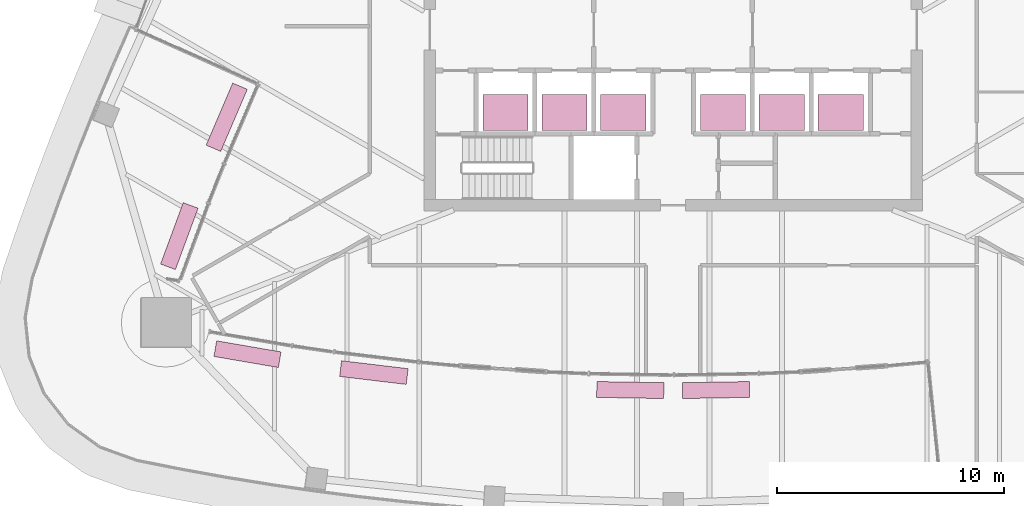
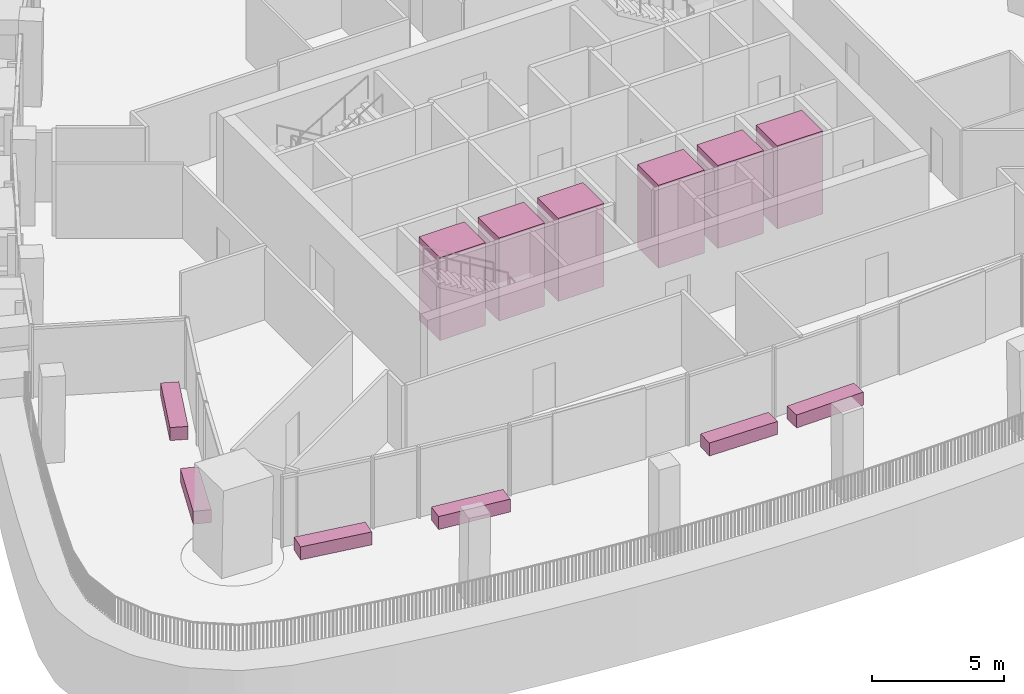
# One storey, part 22 of 22: 6 furniture elements, 6 transport elements.
"""IFC4 building model written with IfcOpenShell, lengths in metres."""

from ifc_helpers import new_model, si_unit, direction, frame, origin, origin_2d, place, context, subcontext, project, spatial, rectangle, extrude, material, type_object, element, save


model = new_model("IFC4")

# Units and contexts
model_context = context("Model", 3, precision=1e-05, world=origin(), true_north=direction((0.0, 1.0)))
body_context = subcontext(model_context, "Body", "Model", "MODEL_VIEW")
ifc_project = project(units=[si_unit("LENGTHUNIT", "METRE"), si_unit("AREAUNIT", "SQUARE_METRE"), si_unit("VOLUMEUNIT", "CUBIC_METRE"), si_unit("PLANEANGLEUNIT", "RADIAN"), si_unit("MASSUNIT", "GRAM", prefix="KILO")], contexts=[model_context])

# Site, building, storey
site_placement = place(None, origin())
site = spatial("IfcSite", under=ifc_project, at=site_placement, CompositionType="ELEMENT")
building_placement = place(site_placement, origin())
building = spatial("IfcBuilding", under=site, at=building_placement, Name="Sierra Prisma Convention Tower", CompositionType="ELEMENT")
storey_placement = place(building_placement, frame((0.0, 0.0, 227.0)))
storey = spatial("IfcBuildingStorey", under=building, at=storey_placement, Name="L50", CompositionType="ELEMENT", Elevation=227.0)

# Transport elements
ifc_material_1 = material(Name="Stainless steel", Category="steel")
transport_element_type = type_object("IfcTransportElementType", Name="Lift car office high 2000x1600 1600 kg", PredefinedType="ELEVATOR", material=ifc_material_1)
for number, where, z_axis, x_axis, name in (
    (1, (-7.39990234375, -3.64990234375, 0.0), (0.0, 0.0, 1.0), (1.0, 0.0, 0.0), "Lift OH1"),
    (2, (-4.800048828125, -3.64990234375, 0.0), (0.0, 0.0, 1.0), (1.0, 0.0, 0.0), "Lift OH2"),
    (3, (-2.199951171875, -3.64990234375, 0.0), (0.0, 0.0, 1.0), (1.0, 0.0, 0.0), "Lift OH3"),
    (4, (2.199951171875, -3.64990234375, 0.0), (0.0, 0.0, 1.0), (1.0, 0.0, 0.0), "Lift OH4"),
    (5, (4.800048828125, -3.64990234375, 0.0), (0.0, 0.0, 1.0), (1.0, 0.0, 0.0), "Lift OH5"),
    (6, (7.39990234375, -3.64990234375, 0.0), (0.0, 0.0, 1.0), (1.0, 0.0, 0.0), "Lift OH6"),
):
    element("IfcTransportElement", number, at=place(storey_placement, frame(where, z_axis=z_axis, x_axis=x_axis)), inside=storey, type_object=transport_element_type, Name=name, PredefinedType="ELEVATOR", context=body_context, shape_type="SweptSolid", body=[
        extrude(rectangle(XDim=2.0, YDim=1.60009765625, at=origin_2d()), origin(), (0.0, 0.0, 1.0), 3.85009765625),
    ])

# Furniture
ifc_material_2 = material(Name="Precast concrete C40/50", Category="concrete")
furniture_type = type_object("IfcFurnitureType", Name="Terrace planter", AssemblyPlace="NOTDEFINED", PredefinedType="USERDEFINED", material=ifc_material_2)
furniture_1_placement = place(storey_placement, frame((-19.707763671875, -3.8642578125, 0.0400390625), z_axis=(0.0, 0.0, 1.0), x_axis=(-0.393633597179, -0.919267420924, 0.0)))
element("IfcFurniture", 7, at=furniture_1_placement, inside=storey, type_object=furniture_type, Name="Planter L50.1", ObjectType="PLANTER", PredefinedType="USERDEFINED", context=body_context, shape_type="SweptSolid", body=[
    extrude(rectangle(XDim=2.982177734375, YDim=0.699951171875, at=origin_2d()), origin(), (0.0, 0.0, 1.0), 0.60009765625),
])
furniture_2_placement = place(storey_placement, frame((-21.799072265625, -9.112060546875, 0.0400390625), z_axis=(0.0, 0.0, 1.0), x_axis=(-0.346211643008, -0.938156435914, 0.0)))
element("IfcFurniture", 8, at=furniture_2_placement, inside=storey, type_object=furniture_type, Name="Planter L50.3", ObjectType="PLANTER", PredefinedType="USERDEFINED", context=body_context, shape_type="SweptSolid", body=[
    extrude(rectangle(XDim=2.88671875, YDim=0.699951171875, at=origin_2d()), origin(), (0.0, 0.0, 1.0), 0.60009765625),
])
furniture_3_placement = place(storey_placement, frame((-18.789794921875, -14.32275390625, 0.0400390625), z_axis=(0.0, 0.0, 1.0), x_axis=(0.985573844924, -0.169245963622, 0.0)))
element("IfcFurniture", 9, at=furniture_3_placement, inside=storey, type_object=furniture_type, Name="Planter L50.28", ObjectType="PLANTER", PredefinedType="USERDEFINED", context=body_context, shape_type="SweptSolid", body=[
    extrude(rectangle(XDim=2.884765625, YDim=0.699951171875, at=origin_2d()), origin(), (0.0, 0.0, 1.0), 0.60009765625),
])
for number, where, z_axis, x_axis, name in (
    (10, (-13.21142578125, -15.13427734375, 0.0400390625), (0.0, 0.0, 1.0), (0.992908013548, -0.118885140501, 0.0), "Planter L50.30"),
    (11, (-1.891845703125, -15.90625, 0.0400390625), (0.0, 0.0, 1.0), (0.999855097682, -0.017023032595, 0.0), "Planter L50.34"),
    (12, (1.891845703125, -15.90625, 0.0400390625), (0.0, 0.0, 1.0), (0.999855097682, 0.017023032595, 0.0), "Planter L50.35"),
):
    element("IfcFurniture", number, at=place(storey_placement, frame(where, z_axis=z_axis, x_axis=x_axis)), inside=storey, type_object=furniture_type, Name=name, ObjectType="PLANTER", PredefinedType="USERDEFINED", context=body_context, shape_type="SweptSolid", body=[
        extrude(rectangle(XDim=2.960205078125, YDim=0.699951171875, at=origin_2d()), origin(), (0.0, 0.0, 1.0), 0.60009765625),
    ])

save(model, "model.ifc")
